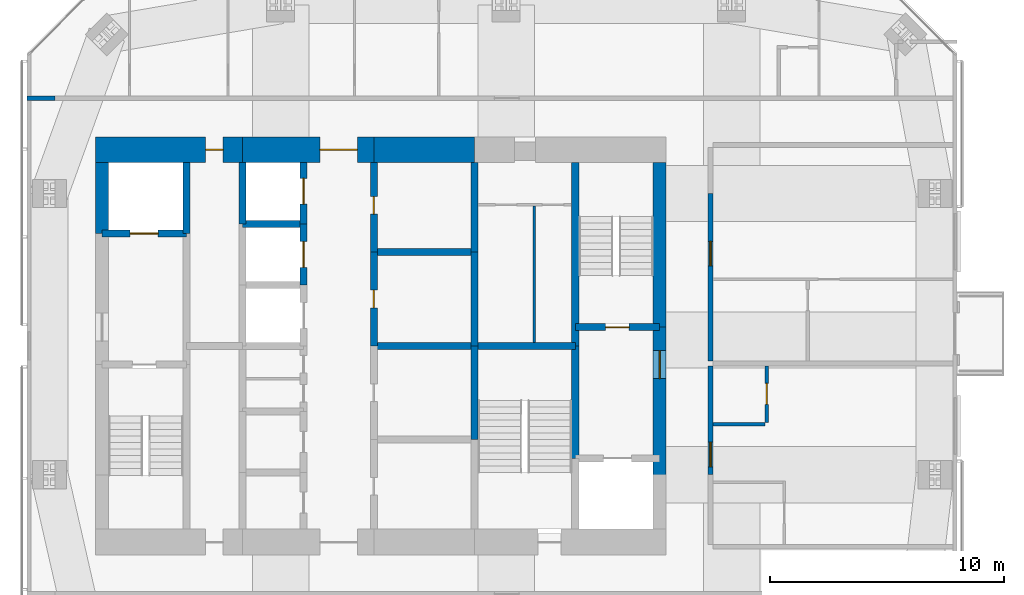
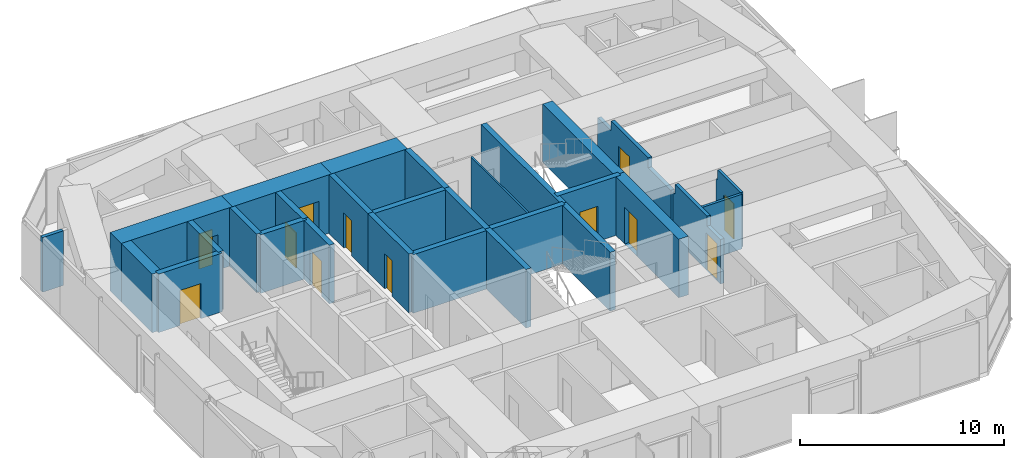
# One storey, part 15 of 18: 29 walls, 12 doors, 12 openings.
"""IFC4 building model written with IfcOpenShell, lengths in metres."""

from ifc_helpers import new_model, si_unit, direction, frame, frame_2d, origin, place, context, subcontext, project, spatial, polyline, rectangle, outline, extrude, material, layer, layer_set, constituent, constituent_set, type_object, element, fill, save


model = new_model("IFC4")

# Units and contexts
model_context = context("Model", 3, precision=1e-05, world=origin(), true_north=direction((0.0, 1.0)))
body_context = subcontext(model_context, "Body", "Model", "MODEL_VIEW")
ifc_project = project(units=[si_unit("LENGTHUNIT", "METRE"), si_unit("AREAUNIT", "SQUARE_METRE"), si_unit("VOLUMEUNIT", "CUBIC_METRE"), si_unit("PLANEANGLEUNIT", "RADIAN"), si_unit("MASSUNIT", "GRAM", prefix="KILO")], contexts=[model_context])

# Site, building, storey
site_placement = place(None, origin())
site = spatial("IfcSite", under=ifc_project, at=site_placement, CompositionType="ELEMENT")
building_placement = place(site_placement, origin())
building = spatial("IfcBuilding", under=site, at=building_placement, Name="Jalousie Tower", CompositionType="ELEMENT")
storey_placement = place(building_placement, frame((0.0, 0.0, 252.949951171875)))
storey = spatial("IfcBuildingStorey", under=building, at=storey_placement, Name="L69", CompositionType="ELEMENT", Elevation=252.949951171875)

# Wall, opening, door
ifc_material_1 = material(Name="Concrete block ASTM C90", Category="concrete")
ifc_constituent_1 = constituent(ifc_material_1, Name="Body")
ifc_material_2 = material(Name="Render")
ifc_constituent_2 = constituent(ifc_material_2, Name="Finish")
ifc_constituent_set_1 = constituent_set(constituents=[ifc_constituent_1, ifc_constituent_2])
wall_type_1 = type_object("IfcWallType", Name="BATHROOM WALL 150", PredefinedType="PLUMBINGWALL", material=ifc_constituent_set_1)
wall_1_placement = place(storey_placement, frame((48.375, 15.22509765625, 0.0), z_axis=(0.0, 0.0, 1.0), x_axis=(0.0, 1.0, 0.0)))
wall_1 = element("IfcWall", 1, at=wall_1_placement, inside=storey, type_object=wall_type_1, Name="Bathroom Wall 150 L69", PredefinedType="PLUMBINGWALL", context=body_context, shape_type="SweptSolid", body=[
    extrude(outline(polyline([(0.0, 0.0), (2.4248046875, 0.0), (2.425048828125, 3.260009765625), (2.425048828125, 2.66015625), (2.239990234375, 2.66015625), (2.239990234375, 3.260009765625), (0.0, 3.260009765625), (0.0, 0.0)])), frame((0.0, 0.074951171875, 0.0), z_axis=(0.0, -1.0, 0.0), x_axis=(1.0, 0.0, 0.0)), (0.0, 0.0, 1.0), 0.14990234375),
])
opening_1_placement = place(wall_1_placement, frame((0.77490234375, 0.0, 0.0)))
opening_1 = element("IfcOpeningElement", 2, at=opening_1_placement, cuts=wall_1, Name="Opening D3", PredefinedType="OPENING", context=body_context, shape_type="SweptSolid", body=[
    extrude(rectangle(XDim=0.89990234375, YDim=2.10009765625, at=frame_2d((0.449951171875, 1.050048828125))), frame((0.0, 0.0849609375, 0.0), z_axis=(0.0, -1.0, 0.0), x_axis=(1.0, 0.0, 0.0)), (0.0, 0.0, 1.0), 0.169921875),
])
ifc_material_3 = material(Name="Timber door", Category="wood")
door_type_1 = type_object("IfcDoorType", Name="BATHROOM DOOR 900", OperationType="SINGLE_SWING_LEFT", PredefinedType="DOOR", material=ifc_material_3)
door_1_placement = place(opening_1_placement, origin())
door_1 = element("IfcDoor", 3, at=door_1_placement, inside=storey, type_object=door_type_1, Name="Apartment 6903 bathroom door", OperationType="SINGLE_SWING_RIGHT", OverallHeight=2.10009765625, OverallWidth=0.89990234375, PredefinedType="DOOR", context=body_context, shape_type="SweptSolid", body=[
    extrude(rectangle(XDim=0.89990234375, YDim=2.10009765625, at=frame_2d((0.449951171875, 1.050048828125))), frame((0.0, 0.02490234375, 0.0), z_axis=(0.0, -1.0, 0.0), x_axis=(1.0, 0.0, 0.0)), (0.0, 0.0, 1.0), 0.050048828125),
])
fill(opening_1, door_1)

# Walls
wall_2_placement = place(storey_placement, frame((48.300048828125, 15.14990234375, 0.0), z_axis=(0.0, 0.0, 1.0), x_axis=(-1.0, 0.0, 0.0)))
element("IfcWall", 4, at=wall_2_placement, inside=storey, type_object=wall_type_1, Name="Bathroom Wall 150 L69", PredefinedType="PLUMBINGWALL", context=body_context, shape_type="SweptSolid", body=[
    extrude(rectangle(XDim=2.22509765625, YDim=0.14990234375, at=frame_2d((1.112548828125, 0.0))), origin(), (0.0, 0.0, 1.0), 3.260009765625),
])
ifc_material_4 = material(Name="Concrete f'c 120 MPa", Category="concrete")
ifc_layer_1 = layer(ifc_material_4, 1.10009765625)
ifc_layer_set_1 = layer_set([ifc_layer_1], Name="Concrete f'c 120 MPa")
wall_type_2 = type_object("IfcWallType", Name="CORE WALL 1100", PredefinedType="SHEAR", material=ifc_layer_set_1)
wall_3_placement = place(storey_placement, frame((35.89990234375, 26.875, 0.0), z_axis=(0.0, 0.0, 1.0), x_axis=(-1.0, 0.0, 0.0)))
element("IfcWall", 5, at=wall_3_placement, inside=storey, type_object=wall_type_2, Name="Core wall NB L69", PredefinedType="SHEAR", context=body_context, shape_type="SweptSolid", body=[
    extrude(rectangle(XDim=4.2998046875, YDim=1.10009765625, at=frame_2d((2.14990234375, 0.0))), origin(), (0.0, 0.0, 1.0), 3.5),
])

# Wall, opening, door
wall_4_placement = place(storey_placement, frame((31.60009765625, 26.875, 0.0), z_axis=(0.0, 0.0, 1.0), x_axis=(-1.0, 0.0, 0.0)))
wall_4 = element("IfcWall", 6, at=wall_4_placement, inside=storey, type_object=wall_type_2, Name="Core wall NC L69", PredefinedType="SHEAR", context=body_context, shape_type="SweptSolid", body=[
    extrude(rectangle(XDim=5.60009765625, YDim=1.10009765625, at=frame_2d((2.800048828125, 0.0))), origin(), (0.0, 0.0, 1.0), 3.5),
])
opening_2_placement = place(wall_4_placement, frame((0.699951171875, 0.0, 0.0)))
opening_2 = element("IfcOpeningElement", 7, at=opening_2_placement, cuts=wall_4, Name="Opening D15", PredefinedType="OPENING", context=body_context, shape_type="SweptSolid", body=[
    extrude(rectangle(XDim=1.60009765625, YDim=2.10009765625, at=frame_2d((0.800048828125, 1.050048828125))), frame((0.0, 0.56005859375, 0.0), z_axis=(0.0, -1.0, 0.0), x_axis=(1.0, 0.0, 0.0)), (0.0, 0.0, 1.0), 1.1201171875),
])
ifc_material_5 = material(Name="Steel fire door", Category="steel")
door_type_2 = type_object("IfcDoorType", Name="LIFT LOBBY DOOR 1600", OperationType="DOUBLE_DOOR_SINGLE_SWING", PredefinedType="DOOR", material=ifc_material_5)
door_2_placement = place(opening_2_placement, origin())
door_2 = element("IfcDoor", 8, at=door_2_placement, inside=storey, type_object=door_type_2, Name="Lift lobby north door", OperationType="DOUBLE_DOOR_SINGLE_SWING", OverallHeight=2.10009765625, OverallWidth=1.60009765625, PredefinedType="DOOR", context=body_context, shape_type="SweptSolid", body=[
    extrude(rectangle(XDim=1.60009765625, YDim=2.10009765625, at=frame_2d((0.800048828125, 1.050048828125))), frame((0.0, 0.02490234375, 0.0), z_axis=(0.0, -1.0, 0.0), x_axis=(1.0, 0.0, 0.0)), (0.0, 0.0, 1.0), 0.050048828125),
])
fill(opening_2, door_2)

wall_5_placement = place(storey_placement, frame((26.0, 26.875, 0.0), z_axis=(0.0, 0.0, 1.0), x_axis=(-1.0, 0.0, 0.0)))
wall_5 = element("IfcWall", 9, at=wall_5_placement, inside=storey, type_object=wall_type_2, Name="Core wall ND L69", PredefinedType="SHEAR", context=body_context, shape_type="SweptSolid", body=[
    extrude(rectangle(XDim=6.27490234375, YDim=1.10009765625, at=frame_2d((3.137451171875, 0.0))), origin(), (0.0, 0.0, 1.0), 3.5),
])
opening_3_placement = place(wall_5_placement, frame((0.824951171875, 0.0, 0.0)))
opening_3 = element("IfcOpeningElement", 10, at=opening_3_placement, cuts=wall_5, Name="Opening D16", PredefinedType="OPENING", context=body_context, shape_type="SweptSolid", body=[
    extrude(rectangle(XDim=0.75, YDim=2.10009765625, at=frame_2d((0.375, 1.050048828125))), frame((0.0, 0.56005859375, 0.0), z_axis=(0.0, -1.0, 0.0), x_axis=(1.0, 0.0, 0.0)), (0.0, 0.0, 1.0), 1.1201171875),
])
ifc_material_6 = material(Name="Steel fire door", Category="steel")
door_type_3 = type_object("IfcDoorType", Name="RISER DOOR 750", OperationType="SINGLE_SWING_LEFT", PredefinedType="DOOR", material=ifc_material_6)
door_3_placement = place(opening_3_placement, origin())
door_3 = element("IfcDoor", 11, at=door_3_placement, inside=storey, type_object=door_type_3, Name="North riser door", OperationType="SINGLE_SWING_RIGHT", OverallHeight=2.10009765625, OverallWidth=0.75, PredefinedType="DOOR", context=body_context, shape_type="SweptSolid", body=[
    extrude(rectangle(XDim=0.75, YDim=2.10009765625, at=frame_2d((0.375, 1.050048828125))), frame((0.0, 0.02490234375, 0.0), z_axis=(0.0, -1.0, 0.0), x_axis=(1.0, 0.0, 0.0)), (0.0, 0.0, 1.0), 0.050048828125),
])
fill(opening_3, door_3)

# Walls
ifc_material_7 = material(Name="Concrete f'c 120 MPa", Category="concrete")
ifc_layer_2 = layer(ifc_material_7, 0.300048828125)
ifc_layer_set_2 = layer_set([ifc_layer_2], Name="Concrete f'c 120 MPa")
wall_type_3 = type_object("IfcWallType", Name="CORE WALL 300", PredefinedType="SHEAR", material=ifc_layer_set_2)
wall_6_placement = place(storey_placement, frame((23.60009765625, 23.300048828125, 0.0), z_axis=(0.0, 0.0, 1.0), x_axis=(0.0, 1.0, 0.0)))
element("IfcWall", 12, at=wall_6_placement, inside=storey, type_object=wall_type_3, Name="Core wall X23.6C L69", PredefinedType="SHEAR", context=body_context, shape_type="SweptSolid", body=[
    extrude(rectangle(XDim=3.02490234375, YDim=0.300048828125, at=frame_2d((1.512451171875, 0.0))), origin(), (0.0, 0.0, 1.0), 3.5),
])
wall_7_placement = place(storey_placement, frame((26.0, 23.699951171875, 0.0), z_axis=(0.0, 0.0, 1.0), x_axis=(0.0, 1.0, 0.0)))
element("IfcWall", 13, at=wall_7_placement, inside=storey, type_object=wall_type_3, Name="Core wall X26F L69", PredefinedType="SHEAR", context=body_context, shape_type="SweptSolid", body=[
    extrude(rectangle(XDim=2.625, YDim=0.300048828125, at=frame_2d((1.3125, 0.0))), origin(), (0.0, 0.0, 1.0), 3.5),
])

# Wall, opening, door
wall_8_placement = place(storey_placement, frame((28.60009765625, 21.10009765625, 0.0), z_axis=(0.0, 0.0, 1.0), x_axis=(0.0, 1.0, 0.0)))
wall_8 = element("IfcWall", 14, at=wall_8_placement, inside=storey, type_object=wall_type_3, Name="Core wall X28.6E L69", PredefinedType="SHEAR", context=body_context, shape_type="SweptSolid", body=[
    extrude(rectangle(XDim=2.599853515625, YDim=0.300048828125, at=frame_2d((1.2998046875, 0.0))), origin(), (0.0, 0.0, 1.0), 3.5),
])
opening_4_placement = place(wall_8_placement, frame((0.75, 0.0, 0.0)))
opening_4 = element("IfcOpeningElement", 15, at=opening_4_placement, cuts=wall_8, Name="Opening LD1", PredefinedType="OPENING", context=body_context, shape_type="SweptSolid", body=[
    extrude(rectangle(XDim=1.10009765625, YDim=2.10009765625, at=frame_2d((0.550048828125, 1.050048828125))), frame((0.0, 0.159912109375, 0.0), z_axis=(0.0, -1.0, 0.0), x_axis=(1.0, 0.0, 0.0)), (0.0, 0.0, 1.0), 0.320068359375),
])
ifc_material_8 = material(Name="Steel lift landing door", Category="steel")
door_type_4 = type_object("IfcDoorType", Name="LIFT LANDING DOOR 1100", OperationType="SLIDING_TO_LEFT", PredefinedType="DOOR", material=ifc_material_8)
door_4_placement = place(opening_4_placement, origin())
door_4 = element("IfcDoor", 16, at=door_4_placement, inside=storey, type_object=door_type_4, Name="Lift P5 landing door", OperationType="SLIDING_TO_LEFT", OverallHeight=2.10009765625, OverallWidth=1.10009765625, PredefinedType="DOOR", context=body_context, shape_type="SweptSolid", body=[
    extrude(rectangle(XDim=1.10009765625, YDim=2.10009765625, at=frame_2d((0.550048828125, 1.050048828125))), frame((0.0, 0.02490234375, 0.0), z_axis=(0.0, -1.0, 0.0), x_axis=(1.0, 0.0, 0.0)), (0.0, 0.0, 1.0), 0.050048828125),
])
fill(opening_4, door_4)

wall_9_placement = place(storey_placement, frame((28.60009765625, 23.699951171875, 0.0), z_axis=(0.0, 0.0, 1.0), x_axis=(0.0, 1.0, 0.0)))
wall_9 = element("IfcWall", 17, at=wall_9_placement, inside=storey, type_object=wall_type_3, Name="Core wall X28.6F L69", PredefinedType="SHEAR", context=body_context, shape_type="SweptSolid", body=[
    extrude(rectangle(XDim=2.625, YDim=0.300048828125, at=frame_2d((1.3125, 0.0))), origin(), (0.0, 0.0, 1.0), 3.5),
])
opening_5_placement = place(wall_9_placement, frame((0.85009765625, 0.0, 0.0)))
opening_5 = element("IfcOpeningElement", 18, at=opening_5_placement, cuts=wall_9, Name="Opening LD1", PredefinedType="OPENING", context=body_context, shape_type="SweptSolid", body=[
    extrude(rectangle(XDim=1.10009765625, YDim=2.10009765625, at=frame_2d((0.550048828125, 1.050048828125))), frame((0.0, 0.159912109375, 0.0), z_axis=(0.0, -1.0, 0.0), x_axis=(1.0, 0.0, 0.0)), (0.0, 0.0, 1.0), 0.320068359375),
])
door_5_placement = place(opening_5_placement, origin())
door_5 = element("IfcDoor", 19, at=door_5_placement, inside=storey, type_object=door_type_4, Name="Lift P6 landing door", OperationType="SLIDING_TO_LEFT", OverallHeight=2.10009765625, OverallWidth=1.10009765625, PredefinedType="DOOR", context=body_context, shape_type="SweptSolid", body=[
    extrude(rectangle(XDim=1.10009765625, YDim=2.10009765625, at=frame_2d((0.550048828125, 1.050048828125))), frame((0.0, 0.02490234375, 0.0), z_axis=(0.0, -1.0, 0.0), x_axis=(1.0, 0.0, 0.0)), (0.0, 0.0, 1.0), 0.050048828125),
])
fill(opening_5, door_5)

wall_10_placement = place(storey_placement, frame((31.60009765625, 18.5, 0.0), z_axis=(0.0, 0.0, 1.0), x_axis=(0.0, 1.0, 0.0)))
wall_10 = element("IfcWall", 20, at=wall_10_placement, inside=storey, type_object=wall_type_3, Name="Core wall X31.6C L69", PredefinedType="SHEAR", context=body_context, shape_type="SweptSolid", body=[
    extrude(rectangle(XDim=4.0, YDim=0.300048828125, at=frame_2d((2.0, 0.0))), origin(), (0.0, 0.0, 1.0), 3.5),
])
opening_6_placement = place(wall_10_placement, frame((1.625, 0.0, 0.0)))
opening_6 = element("IfcOpeningElement", 21, at=opening_6_placement, cuts=wall_10, Name="Opening D16", PredefinedType="OPENING", context=body_context, shape_type="SweptSolid", body=[
    extrude(rectangle(XDim=0.75, YDim=2.10009765625, at=frame_2d((0.375, 1.050048828125))), frame((0.0, 0.159912109375, 0.0), z_axis=(0.0, -1.0, 0.0), x_axis=(1.0, 0.0, 0.0)), (0.0, 0.0, 1.0), 0.320068359375),
])
door_6_placement = place(opening_6_placement, frame((0.75, 0.0, 0.0), z_axis=(0.0, 0.0, 1.0), x_axis=(-1.0, 0.0, 0.0)))
door_6 = element("IfcDoor", 22, at=door_6_placement, inside=storey, type_object=door_type_3, Name="Telecom Room door", OperationType="SINGLE_SWING_RIGHT", OverallHeight=2.10009765625, OverallWidth=0.75, PredefinedType="DOOR", context=body_context, shape_type="SweptSolid", body=[
    extrude(rectangle(XDim=0.75, YDim=2.10009765625, at=frame_2d((0.375, 1.050048828125))), frame((0.0, 0.02490234375, 0.0), z_axis=(0.0, -1.0, 0.0), x_axis=(1.0, 0.0, 0.0)), (0.0, 0.0, 1.0), 0.050048828125),
])
fill(opening_6, door_6)

wall_11_placement = place(storey_placement, frame((31.60009765625, 22.5, 0.0), z_axis=(0.0, 0.0, 1.0), x_axis=(0.0, 1.0, 0.0)))
wall_11 = element("IfcWall", 23, at=wall_11_placement, inside=storey, type_object=wall_type_3, Name="Core wall X31.6D L69", PredefinedType="SHEAR", context=body_context, shape_type="SweptSolid", body=[
    extrude(rectangle(XDim=3.824951171875, YDim=0.300048828125, at=frame_2d((1.91259765625, 0.0))), origin(), (0.0, 0.0, 1.0), 3.5),
])
opening_7_placement = place(wall_11_placement, frame((1.625, 0.0, 0.0)))
opening_7 = element("IfcOpeningElement", 24, at=opening_7_placement, cuts=wall_11, Name="Opening D16", PredefinedType="OPENING", context=body_context, shape_type="SweptSolid", body=[
    extrude(rectangle(XDim=0.75, YDim=2.10009765625, at=frame_2d((0.375, 1.050048828125))), frame((0.0, 0.159912109375, 0.0), z_axis=(0.0, -1.0, 0.0), x_axis=(1.0, 0.0, 0.0)), (0.0, 0.0, 1.0), 0.320068359375),
])
door_7_placement = place(opening_7_placement, frame((0.75, 0.0, 0.0), z_axis=(0.0, 0.0, 1.0), x_axis=(-1.0, 0.0, 0.0)))
door_7 = element("IfcDoor", 25, at=door_7_placement, inside=storey, type_object=door_type_3, Name="Water Services Room door", OperationType="SINGLE_SWING_LEFT", OverallHeight=2.10009765625, OverallWidth=0.75, PredefinedType="DOOR", context=body_context, shape_type="SweptSolid", body=[
    extrude(rectangle(XDim=0.75, YDim=2.10009765625, at=frame_2d((0.375, 1.050048828125))), frame((0.0, 0.02490234375, 0.0), z_axis=(0.0, -1.0, 0.0), x_axis=(1.0, 0.0, 0.0)), (0.0, 0.0, 1.0), 0.050048828125),
])
fill(opening_7, door_7)

# Walls
for number, where, z_axis, x_axis, name in (
    (26, (35.89990234375, 14.5, 0.0), (0.0, 0.0, 1.0), (0.0, 1.0, 0.0), "Core wall X35.9B L69"),
    (27, (35.89990234375, 18.5, 0.0), (0.0, 0.0, 1.0), (0.0, 1.0, 0.0), "Core wall X35.9C L69"),
):
    element("IfcWall", number, at=place(storey_placement, frame(where, z_axis=z_axis, x_axis=x_axis)), inside=storey, type_object=wall_type_3, Name=name, PredefinedType="SHEAR", context=body_context, shape_type="SweptSolid", body=[
        extrude(rectangle(XDim=4.0, YDim=0.300048828125, at=frame_2d((2.0, 0.0))), origin(), (0.0, 0.0, 1.0), 3.5),
    ])
wall_12_placement = place(storey_placement, frame((35.89990234375, 22.5, 0.0), z_axis=(0.0, 0.0, 1.0), x_axis=(0.0, 1.0, 0.0)))
element("IfcWall", 28, at=wall_12_placement, inside=storey, type_object=wall_type_3, Name="Core wall X35.9D L69", PredefinedType="SHEAR", context=body_context, shape_type="SweptSolid", body=[
    extrude(rectangle(XDim=3.824951171875, YDim=0.300048828125, at=frame_2d((1.91259765625, 0.0))), origin(), (0.0, 0.0, 1.0), 3.5),
])
wall_13_placement = place(storey_placement, frame((40.199951171875, 13.699951171875, 0.0), z_axis=(0.0, 0.0, 1.0), x_axis=(0.0, 1.0, 0.0)))
element("IfcWall", 29, at=wall_13_placement, inside=storey, type_object=wall_type_3, Name="Core wall X40.2B L69", PredefinedType="SHEAR", context=body_context, shape_type="SweptSolid", body=[
    extrude(rectangle(XDim=4.800048828125, YDim=0.300048828125, at=frame_2d((2.39990234375, 0.0))), origin(), (0.0, 0.0, 1.0), 3.5),
])
wall_14_placement = place(storey_placement, frame((40.199951171875, 18.5, 0.0), z_axis=(0.0, 0.0, 1.0), x_axis=(0.0, 1.0, 0.0)))
element("IfcWall", 30, at=wall_14_placement, inside=storey, type_object=wall_type_3, Name="Core wall X40.2C L69", PredefinedType="SHEAR", context=body_context, shape_type="SweptSolid", body=[
    extrude(rectangle(XDim=7.824951171875, YDim=0.300048828125, at=frame_2d((3.91259765625, 0.0))), origin(), (0.0, 0.0, 1.0), 3.5),
])

# Wall, opening, door
wall_15_placement = place(storey_placement, frame((20.0, 23.300048828125, 0.0), z_axis=(0.0, 0.0, 1.0), x_axis=(1.0, 0.0, 0.0)))
wall_15 = element("IfcWall", 31, at=wall_15_placement, inside=storey, type_object=wall_type_3, Name="Core wall Y20-23.3 L69", PredefinedType="SHEAR", context=body_context, shape_type="SweptSolid", body=[
    extrude(rectangle(XDim=3.60009765625, YDim=0.300048828125, at=frame_2d((1.800048828125, 0.0))), origin(), (0.0, 0.0, 1.0), 3.5),
])
opening_8_placement = place(wall_15_placement, frame((1.199951171875, 0.0, 0.0)))
opening_8 = element("IfcOpeningElement", 32, at=opening_8_placement, cuts=wall_15, Name="Opening LD2", PredefinedType="OPENING", context=body_context, shape_type="SweptSolid", body=[
    extrude(rectangle(XDim=1.199951171875, YDim=2.10009765625, at=frame_2d((0.60009765625, 1.050048828125))), frame((0.0, 0.159912109375, 0.0), z_axis=(0.0, -1.0, 0.0), x_axis=(1.0, 0.0, 0.0)), (0.0, 0.0, 1.0), 0.320068359375),
])
ifc_material_9 = material(Name="Steel lift landing door", Category="steel")
door_type_5 = type_object("IfcDoorType", Name="LIFT LANDING DOOR 1200", OperationType="SLIDING_TO_LEFT", PredefinedType="DOOR", material=ifc_material_9)
door_8_placement = place(opening_8_placement, origin())
door_8 = element("IfcDoor", 33, at=door_8_placement, inside=storey, type_object=door_type_5, Name="Lift F1 landing door", OperationType="SLIDING_TO_LEFT", OverallHeight=2.10009765625, OverallWidth=1.199951171875, PredefinedType="DOOR", context=body_context, shape_type="SweptSolid", body=[
    extrude(rectangle(XDim=1.199951171875, YDim=2.10009765625, at=frame_2d((0.60009765625, 1.050048828125))), frame((0.0, 0.02490234375, 0.0), z_axis=(0.0, -1.0, 0.0), x_axis=(1.0, 0.0, 0.0)), (0.0, 0.0, 1.0), 0.050048828125),
])
fill(opening_8, door_8)

# Walls
wall_16_placement = place(storey_placement, frame((26.0, 23.699951171875, 0.0), z_axis=(0.0, 0.0, 1.0), x_axis=(1.0, 0.0, 0.0)))
element("IfcWall", 34, at=wall_16_placement, inside=storey, type_object=wall_type_3, Name="Core wall Y26-23.7 L69", PredefinedType="SHEAR", context=body_context, shape_type="SweptSolid", body=[
    extrude(rectangle(XDim=2.60009765625, YDim=0.300048828125, at=frame_2d((1.300048828125, 0.0))), origin(), (0.0, 0.0, 1.0), 3.5),
])
for number, where, z_axis, x_axis, name in (
    (35, (31.60009765625, 18.5, 0.0), (0.0, 0.0, 1.0), (1.0, 0.0, 0.0), "Core wall Y31.6-18.5 L69"),
    (36, (31.60009765625, 22.5, 0.0), (0.0, 0.0, 1.0), (1.0, 0.0, 0.0), "Core wall Y31.6-22.5 L69"),
):
    element("IfcWall", number, at=place(storey_placement, frame(where, z_axis=z_axis, x_axis=x_axis)), inside=storey, type_object=wall_type_3, Name=name, PredefinedType="SHEAR", context=body_context, shape_type="SweptSolid", body=[
        extrude(rectangle(XDim=4.2998046875, YDim=0.300048828125, at=frame_2d((2.14990234375, 0.0))), origin(), (0.0, 0.0, 1.0), 3.5),
    ])
wall_17_placement = place(storey_placement, frame((35.89990234375, 18.5, 0.0), z_axis=(0.0, 0.0, 1.0), x_axis=(1.0, 0.0, 0.0)))
element("IfcWall", 37, at=wall_17_placement, inside=storey, type_object=wall_type_3, Name="Core wall Y35.9-18.5 L69", PredefinedType="SHEAR", context=body_context, shape_type="SweptSolid", body=[
    extrude(rectangle(XDim=4.300048828125, YDim=0.300048828125, at=frame_2d((2.14990234375, 0.0))), origin(), (0.0, 0.0, 1.0), 3.5),
])

# Wall, opening, door
wall_18_placement = place(storey_placement, frame((40.199951171875, 19.300048828125, 0.0), z_axis=(0.0, 0.0, 1.0), x_axis=(1.0, 0.0, 0.0)))
wall_18 = element("IfcWall", 38, at=wall_18_placement, inside=storey, type_object=wall_type_3, Name="Core wall Y40.2-19.3 L69", PredefinedType="SHEAR", context=body_context, shape_type="SweptSolid", body=[
    extrude(rectangle(XDim=3.60009765625, YDim=0.300048828125, at=frame_2d((1.800048828125, 0.0))), origin(), (0.0, 0.0, 1.0), 3.5),
])
opening_9_placement = place(wall_18_placement, frame((1.300048828125, 0.0, 0.0)))
opening_9 = element("IfcOpeningElement", 39, at=opening_9_placement, cuts=wall_18, Name="Opening D10", PredefinedType="OPENING", context=body_context, shape_type="SweptSolid", body=[
    extrude(rectangle(XDim=1.0, YDim=2.10009765625, at=frame_2d((0.5, 1.050048828125))), frame((0.0, 0.159912109375, 0.0), z_axis=(0.0, -1.0, 0.0), x_axis=(1.0, 0.0, 0.0)), (0.0, 0.0, 1.0), 0.320068359375),
])
ifc_material_10 = material(Name="Steel fire door", Category="steel")
door_type_6 = type_object("IfcDoorType", Name="STAIR DOOR 1000", OperationType="SINGLE_SWING_LEFT", PredefinedType="DOOR", material=ifc_material_10)
door_9_placement = place(opening_9_placement, origin())
door_9 = element("IfcDoor", 40, at=door_9_placement, inside=storey, type_object=door_type_6, Name="Exit stair B door", OperationType="SINGLE_SWING_RIGHT", OverallHeight=2.10009765625, OverallWidth=1.0, PredefinedType="DOOR", context=body_context, shape_type="SweptSolid", body=[
    extrude(rectangle(XDim=1.0, YDim=2.10009765625, at=frame_2d((0.5, 1.050048828125))), frame((0.0, 0.02490234375, 0.0), z_axis=(0.0, -1.0, 0.0), x_axis=(1.0, 0.0, 0.0)), (0.0, 0.0, 1.0), 0.050048828125),
])
fill(opening_9, door_9)

# Wall
ifc_material_11 = material(Name="Concrete f'c 120 MPa", Category="concrete")
ifc_layer_3 = layer(ifc_material_11, 0.550048828125)
ifc_layer_set_3 = layer_set([ifc_layer_3], Name="Concrete f'c 120 MPa")
wall_type_4 = type_object("IfcWallType", Name="CORE WALL 550", PredefinedType="SHEAR", material=ifc_layer_set_3)
wall_19_placement = place(storey_placement, frame((20.0, 26.324951171875, 0.0), z_axis=(0.0, 0.0, 1.0), x_axis=(0.0, -1.0, 0.0)))
element("IfcWall", 41, at=wall_19_placement, inside=storey, type_object=wall_type_4, Name="Core wall WA L69", PredefinedType="SHEAR", context=body_context, shape_type="SweptSolid", body=[
    extrude(rectangle(XDim=3.02490234375, YDim=0.550048828125, at=frame_2d((1.512451171875, 0.0))), origin(), (0.0, 0.0, 1.0), 3.5),
])

# Wall, opening, door
wall_20_placement = place(storey_placement, frame((43.800048828125, 13.0, 0.0), z_axis=(0.0, 0.0, 1.0), x_axis=(0.0, 1.0, 0.0)))
wall_20 = element("IfcWall", 42, at=wall_20_placement, inside=storey, type_object=wall_type_4, Name="Core wall EB L69", PredefinedType="SHEAR", context=body_context, shape_type="SweptSolid", body=[
    extrude(rectangle(XDim=6.300048828125, YDim=0.550048828125, at=frame_2d((3.14990234375, 0.0))), origin(), (0.0, 0.0, 1.0), 3.5),
])
opening_10_placement = place(wall_20_placement, frame((4.10009765625, 0.0, 0.0)))
opening_10 = element("IfcOpeningElement", 43, at=opening_10_placement, cuts=wall_20, Name="Opening D11", PredefinedType="OPENING", context=body_context, shape_type="SweptSolid", body=[
    extrude(rectangle(XDim=1.199951171875, YDim=2.199951171875, at=frame_2d((0.60009765625, 1.10009765625))), frame((0.0, 0.284912109375, 0.0), z_axis=(0.0, -1.0, 0.0), x_axis=(1.0, 0.0, 0.0)), (0.0, 0.0, 1.0), 0.570068359375),
])
ifc_material_12 = material(Name="Steel fire door", Category="steel")
door_type_7 = type_object("IfcDoorType", Name="FIRE DOOR 1200", OperationType="SINGLE_SWING_LEFT", PredefinedType="DOOR", material=ifc_material_12)
door_10_placement = place(opening_10_placement, origin())
door_10 = element("IfcDoor", 44, at=door_10_placement, inside=storey, type_object=door_type_7, Name="Fire-fighting lobby B door", OperationType="SINGLE_SWING_RIGHT", OverallHeight=2.199951171875, OverallWidth=1.199951171875, PredefinedType="DOOR", context=body_context, shape_type="SweptSolid", body=[
    extrude(rectangle(XDim=1.199951171875, YDim=2.199951171875, at=frame_2d((0.60009765625, 1.10009765625))), frame((0.0, 0.02490234375, 0.0), z_axis=(0.0, -1.0, 0.0), x_axis=(1.0, 0.0, 0.0)), (0.0, 0.0, 1.0), 0.050048828125),
])
fill(opening_10, door_10)

# Wall
wall_21_placement = place(storey_placement, frame((43.800048828125, 19.300048828125, 0.0), z_axis=(0.0, 0.0, 1.0), x_axis=(0.0, 1.0, 0.0)))
element("IfcWall", 45, at=wall_21_placement, inside=storey, type_object=wall_type_4, Name="Core wall EC L69", PredefinedType="SHEAR", context=body_context, shape_type="SweptSolid", body=[
    extrude(rectangle(XDim=7.02490234375, YDim=0.550048828125, at=frame_2d((3.512451171875, 0.0))), origin(), (0.0, 0.0, 1.0), 3.5),
])

# Wall, opening, door
ifc_material_13 = material(Name="Concrete block ASTM C90", Category="concrete")
ifc_constituent_3 = constituent(ifc_material_13, Name="Body")
ifc_material_14 = material(Name="Render")
ifc_constituent_4 = constituent(ifc_material_14, Name="Finish")
ifc_constituent_set_2 = constituent_set(constituents=[ifc_constituent_3, ifc_constituent_4])
wall_type_5 = type_object("IfcWallType", Name="CORRIDOR WALL 200", PredefinedType="PARTITIONING", material=ifc_constituent_set_2)
wall_22_placement = place(storey_placement, frame((45.97509765625, 13.0, 0.0), z_axis=(0.0, 0.0, 1.0), x_axis=(0.0, 1.0, 0.0)))
wall_22 = element("IfcWall", 46, at=wall_22_placement, inside=storey, type_object=wall_type_5, Name="Corridor Wall 200 L69-B", PredefinedType="PARTITIONING", context=body_context, shape_type="SweptSolid", body=[
    extrude(outline(polyline([(0.0, 0.0), (4.64990234375, 0.0), (4.64990234375, 2.66015625), (4.43994140625, 2.66015625), (4.43994140625, 3.260009765625), (1.31005859375, 3.260009765625), (1.31005859375, 2.66015625), (0.0, 2.66015625), (0.0, 0.0)])), frame((0.0, 0.10009765625, 0.0), z_axis=(0.0, -1.0, 0.0), x_axis=(1.0, 0.0, 0.0)), (0.0, 0.0, 1.0), 0.199951171875),
])
opening_11_placement = place(wall_22_placement, frame((0.33740234375, 0.0, 0.0)))
opening_11 = element("IfcOpeningElement", 47, at=opening_11_placement, cuts=wall_22, Name="Opening D1", PredefinedType="OPENING", context=body_context, shape_type="SweptSolid", body=[
    extrude(rectangle(XDim=1.050048828125, YDim=2.199951171875, at=frame_2d((0.52490234375, 1.10009765625))), frame((0.0, 0.10986328125, 0.0), z_axis=(0.0, -1.0, 0.0), x_axis=(1.0, 0.0, 0.0)), (0.0, 0.0, 1.0), 0.219970703125),
])
ifc_material_15 = material(Name="Timber fire door", Category="wood")
door_type_8 = type_object("IfcDoorType", Name="APARTMENT ENTRANCE DOOR 1050", OperationType="SINGLE_SWING_LEFT", PredefinedType="DOOR", material=ifc_material_15)
door_11_placement = place(opening_11_placement, frame((1.050048828125, 0.0, 0.0), z_axis=(0.0, 0.0, 1.0), x_axis=(-1.0, 0.0, 0.0)))
door_11 = element("IfcDoor", 48, at=door_11_placement, inside=storey, type_object=door_type_8, Name="Apartment 6903 entrance", OperationType="SINGLE_SWING_RIGHT", OverallHeight=2.199951171875, OverallWidth=1.050048828125, PredefinedType="DOOR", context=body_context, shape_type="SweptSolid", body=[
    extrude(rectangle(XDim=1.050048828125, YDim=2.199951171875, at=frame_2d((0.52490234375, 1.10009765625))), frame((0.0, 0.02490234375, 0.0), z_axis=(0.0, -1.0, 0.0), x_axis=(1.0, 0.0, 0.0)), (0.0, 0.0, 1.0), 0.050048828125),
])
fill(opening_11, door_11)

wall_23_placement = place(storey_placement, frame((45.97509765625, 17.85009765625, 0.0), z_axis=(0.0, 0.0, 1.0), x_axis=(0.0, 1.0, 0.0)))
wall_23 = element("IfcWall", 49, at=wall_23_placement, inside=storey, type_object=wall_type_5, Name="Corridor Wall 200 L69-A", PredefinedType="PARTITIONING", context=body_context, shape_type="SweptSolid", body=[
    extrude(outline(polyline([(0.0, 0.0), (7.14990234375, 0.0), (7.14990234375, 2.66015625), (5.840087890625, 2.66015625), (5.840087890625, 3.260009765625), (2.2099609375, 3.260009765625), (2.2099609375, 2.66015625), (0.0, 2.66015625), (0.0, 0.0)])), frame((0.0, 0.10009765625, 0.0), z_axis=(0.0, -1.0, 0.0), x_axis=(1.0, 0.0, 0.0)), (0.0, 0.0, 1.0), 0.199951171875),
])
opening_12_placement = place(wall_23_placement, frame((4.0625, 0.0, 0.0)))
opening_12 = element("IfcOpeningElement", 50, at=opening_12_placement, cuts=wall_23, Name="Opening D1", PredefinedType="OPENING", context=body_context, shape_type="SweptSolid", body=[
    extrude(rectangle(XDim=1.050048828125, YDim=2.199951171875, at=frame_2d((0.52490234375, 1.10009765625))), frame((0.0, 0.10986328125, 0.0), z_axis=(0.0, -1.0, 0.0), x_axis=(1.0, 0.0, 0.0)), (0.0, 0.0, 1.0), 0.219970703125),
])
door_12_placement = place(opening_12_placement, frame((1.050048828125, 0.0, 0.0), z_axis=(0.0, 0.0, 1.0), x_axis=(-1.0, 0.0, 0.0)))
door_12 = element("IfcDoor", 51, at=door_12_placement, inside=storey, type_object=door_type_8, Name="Apartment 6904 entrance", OperationType="SINGLE_SWING_RIGHT", OverallHeight=2.199951171875, OverallWidth=1.050048828125, PredefinedType="DOOR", context=body_context, shape_type="SweptSolid", body=[
    extrude(rectangle(XDim=1.050048828125, YDim=2.199951171875, at=frame_2d((0.52490234375, 1.10009765625))), frame((0.0, 0.02490234375, 0.0), z_axis=(0.0, -1.0, 0.0), x_axis=(1.0, 0.0, 0.0)), (0.0, 0.0, 1.0), 0.050048828125),
])
fill(opening_12, door_12)

# Walls
ifc_material_16 = material(Name="Gypsum board", Category="gypsum")
ifc_constituent_5 = constituent(ifc_material_16, Name="Body")
ifc_material_17 = material(Name="Light-gauge steel studs ASTM A653 SS Grade 33", Category="steel")
ifc_constituent_6 = constituent(ifc_material_17, Name="Framing")
ifc_constituent_set_3 = constituent_set(constituents=[ifc_constituent_5, ifc_constituent_6])
wall_type_6 = type_object("IfcWallType", Name="PARTITION 100", PredefinedType="PARTITIONING", material=ifc_constituent_set_3)
wall_24_placement = place(storey_placement, frame((38.449951171875, 18.64990234375, 0.0), z_axis=(0.0, 0.0, 1.0), x_axis=(0.0, 1.0, 0.0)))
element("IfcWall", 52, at=wall_24_placement, inside=storey, type_object=wall_type_6, Name="Partition 100 L69", PredefinedType="PARTITIONING", context=body_context, shape_type="SweptSolid", body=[
    extrude(rectangle(XDim=5.8251953125, YDim=0.10009765625, at=frame_2d((2.91259765625, 0.0))), origin(), (0.0, 0.0, 1.0), 3.260009765625),
])
ifc_material_18 = material(Name="Concrete block ASTM C90", Category="concrete")
ifc_constituent_7 = constituent(ifc_material_18, Name="Body")
ifc_material_19 = material(Name="Render")
ifc_constituent_8 = constituent(ifc_material_19, Name="Finish")
ifc_constituent_set_4 = constituent_set(constituents=[ifc_constituent_7, ifc_constituent_8])
wall_type_7 = type_object("IfcWallType", Name="PARTY WALL 200", PredefinedType="PARTITIONING", material=ifc_constituent_set_4)
wall_25_placement = place(storey_placement, frame((16.800048828125, 29.074951171875, 0.0), z_axis=(0.0, 0.0, 1.0), x_axis=(1.0, 0.0, 0.0)))
element("IfcWall", 53, at=wall_25_placement, inside=storey, type_object=wall_type_7, Name="Party Wall 200 L69", PredefinedType="PARTITIONING", context=body_context, shape_type="SweptSolid", body=[
    extrude(rectangle(XDim=1.199951171875, YDim=0.199951171875, at=frame_2d((0.60009765625, 0.0))), origin(), (0.0, 0.0, 1.0), 3.260009765625),
])

save(model, "model.ifc")
